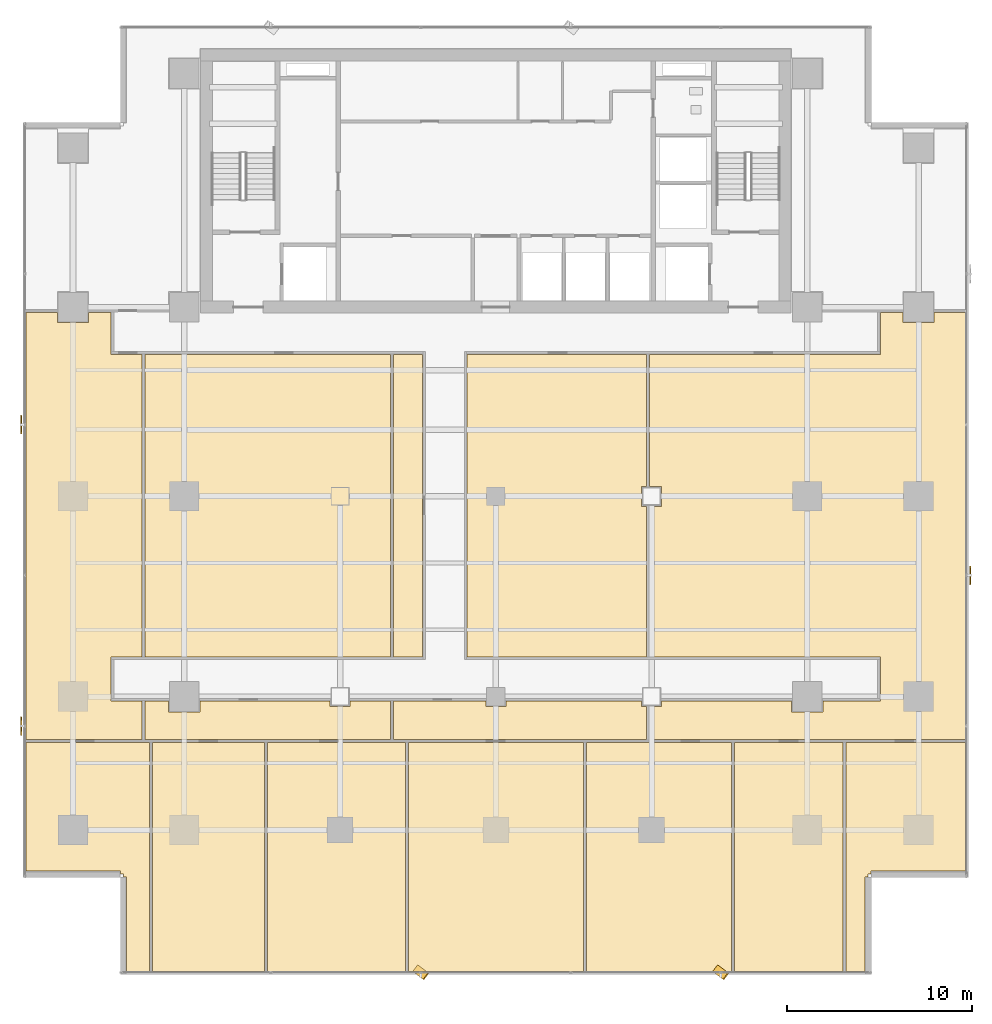
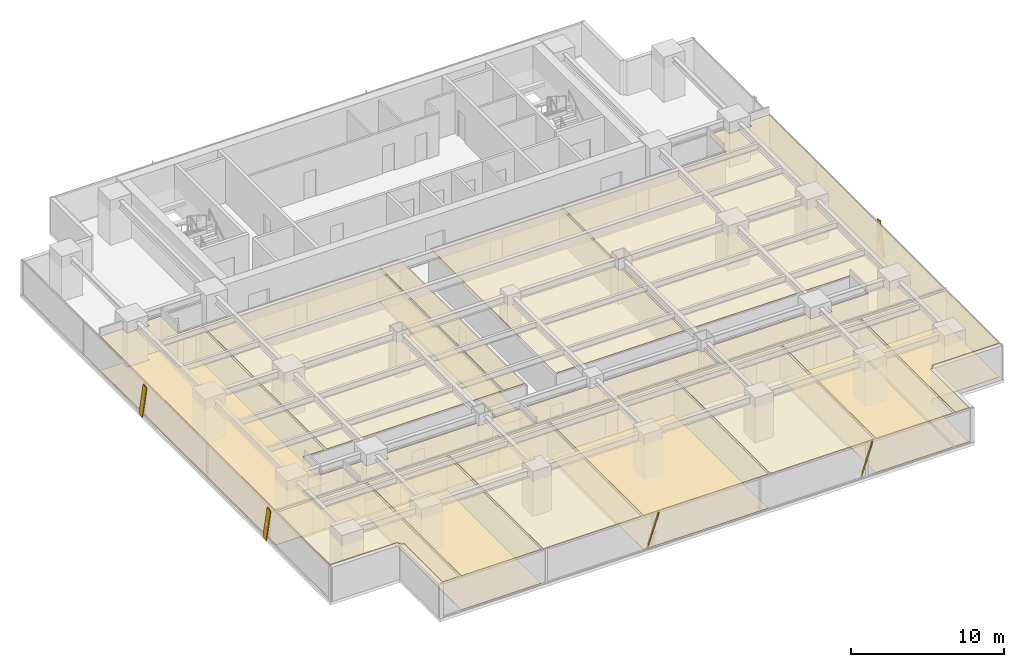
# One storey, part 33 of 37: 21 coverings, 5 shading devices.
"""IFC4 building model written with IfcOpenShell, lengths in metres."""

from ifc_helpers import new_model, si_unit, direction, frame, origin, origin_2d, place, context, subcontext, project, spatial, polyline, rectangle, outline, extrude, source, transform, mapped, material, layer, layer_set, material_profile, profile_set, type_object, element, save


model = new_model("IFC4")

# Units and contexts
model_context = context("Model", 3, precision=1e-05, world=origin(), true_north=direction((0.0, 1.0)))
body_context = subcontext(model_context, "Body", "Model", "MODEL_VIEW")
ifc_project = project(units=[si_unit("LENGTHUNIT", "METRE"), si_unit("AREAUNIT", "SQUARE_METRE"), si_unit("VOLUMEUNIT", "CUBIC_METRE"), si_unit("PLANEANGLEUNIT", "RADIAN"), si_unit("MASSUNIT", "GRAM", prefix="KILO")], contexts=[model_context])

# Site, building, storey
site_placement = place(None, origin())
site = spatial("IfcSite", under=ifc_project, at=site_placement, CompositionType="ELEMENT")
building_placement = place(site_placement, origin())
building = spatial("IfcBuilding", under=site, at=building_placement, Name="Sumidabori Civic Tower", CompositionType="ELEMENT")
storey_placement = place(building_placement, frame((0.0, 0.0, 88.39990234375)))
storey = spatial("IfcBuildingStorey", under=building, at=storey_placement, Name="L22", CompositionType="ELEMENT", Elevation=88.39990234375)

# Coverings
ifc_material_1 = material(Name="Anodised Bronze Baffle Ceiling")
ifc_layer_1 = layer(ifc_material_1, 0.054931640625, Name="Anodised Bronze Baffle Ceiling")
ifc_layer_set_1 = layer_set([ifc_layer_1], Name="Anodised Bronze Baffle Ceiling")
covering_type_1 = type_object("IfcCoveringType", Name="CV-CEIL-AC3", PredefinedType="CEILING", material=ifc_layer_set_1)
covering_1_placement = place(storey_placement, frame((0.0, 0.0, 2.710205078125)))
element("IfcCovering", 1, at=covering_1_placement, inside=storey, type_object=covering_type_1, Name="Room Acoustic Ceiling L22-02", PredefinedType="CEILING", context=body_context, shape_type="SweptSolid", body=[
    extrude(outline(polyline([(-18.919921875, 7.659912109375), (-5.679931640625, 7.659912109375), (-5.679931640625, -8.659912109375), (-18.919921875, -8.659912109375), (-18.919921875, 7.659912109375)])), origin(), (0.0, 0.0, 1.0), 0.054931640625),
])
covering_2_placement = place(storey_placement, frame((0.0, 0.0, 2.710205078125)))
element("IfcCovering", 2, at=covering_2_placement, inside=storey, type_object=covering_type_1, Name="Room Acoustic Ceiling L22-03", PredefinedType="CEILING", context=body_context, shape_type="SweptSolid", body=[
    extrude(outline(polyline([(-5.52001953125, 7.659912109375), (-3.93994140625, 7.659912109375), (-3.93994140625, -8.659912109375), (-5.52001953125, -8.659912109375), (-5.52001953125, 7.659912109375)])), origin(), (0.0, 0.0, 1.0), 0.054931640625),
])
covering_3_placement = place(storey_placement, frame((0.0, 0.0, 2.710205078125)))
element("IfcCovering", 3, at=covering_3_placement, inside=storey, type_object=covering_type_1, Name="Room Acoustic Ceiling L22-04", PredefinedType="CEILING", context=body_context, shape_type="SweptSolid", body=[
    extrude(outline(polyline([(-1.56005859375, -8.659912109375), (-1.56005859375, 7.659912109375), (8.1201171875, 7.659912109375), (8.1201171875, 0.5400390625), (7.860107421875, 0.5400390625), (7.860107421875, -0.5400390625), (8.1201171875, -0.5400390625), (8.1201171875, -8.659912109375), (-1.56005859375, -8.659912109375)])), origin(), (0.0, 0.0, 1.0), 0.054931640625),
])
covering_4_placement = place(storey_placement, frame((0.0, 0.0, 2.710205078125)))
element("IfcCovering", 4, at=covering_4_placement, inside=storey, type_object=covering_type_1, Name="Room Acoustic Ceiling L22-05", PredefinedType="CEILING", context=body_context, shape_type="SweptSolid", body=[
    extrude(outline(polyline([(-25.330078125, -13.1201171875), (-25.330078125, 9.919921875), (-23.639892578125, 9.919921875), (-23.639892578125, 9.360107421875), (-21.9599609375, 9.360107421875), (-21.9599609375, 9.919921875), (-20.739990234375, 9.919921875), (-20.739990234375, 7.659912109375), (-19.080078125, 7.659912109375), (-19.080078125, -8.659912109375), (-20.724609375, -8.659912109375), (-20.739990234375, -8.66748046875), (-20.739990234375, -11.032470703125), (-20.724609375, -11.0400390625), (-19.080078125, -11.0400390625), (-19.080078125, -13.1201171875), (-25.330078125, -13.1201171875)])), origin(), (0.0, 0.0, 1.0), 0.054931640625),
])
covering_5_placement = place(storey_placement, frame((0.0, 0.0, 2.710205078125)))
element("IfcCovering", 5, at=covering_5_placement, inside=storey, type_object=covering_type_1, Name="Room Acoustic Ceiling L22-06", PredefinedType="CEILING", context=body_context, shape_type="SweptSolid", body=[
    extrude(outline(polyline([(8.280029296875, -11.340087890625), (8.93994140625, -11.340087890625), (8.93994140625, -11.0400390625), (15.9599609375, -11.0400390625), (15.9599609375, -11.639892578125), (17.639892578125, -11.639892578125), (17.639892578125, -11.0400390625), (20.724609375, -11.0400390625), (20.739990234375, -11.032470703125), (20.739990234375, -8.66748046875), (20.724609375, -8.659912109375), (8.280029296875, -8.659912109375), (8.280029296875, -0.5400390625), (8.93994140625, -0.5400390625), (8.93994140625, 0.5400390625), (8.280029296875, 0.5400390625), (8.280029296875, 7.659912109375), (20.739990234375, 7.659912109375), (20.739990234375, 9.919921875), (21.9599609375, 9.919921875), (21.9599609375, 9.360107421875), (23.639892578125, 9.360107421875), (23.639892578125, 9.919921875), (25.330078125, 9.919921875), (25.330078125, -13.1201171875), (8.280029296875, -13.1201171875), (8.280029296875, -11.340087890625)])), origin(), (0.0, 0.0, 1.0), 0.054931640625),
])
covering_6_placement = place(storey_placement, frame((0.0, 0.0, 2.710205078125)))
element("IfcCovering", 6, at=covering_6_placement, inside=storey, type_object=covering_type_1, Name="Room Acoustic Ceiling L22-07", PredefinedType="CEILING", context=body_context, shape_type="SweptSolid", body=[
    extrude(outline(polyline([(-17.639892578125, -11.0400390625), (-17.639892578125, -11.639892578125), (-15.9599609375, -11.639892578125), (-15.9599609375, -11.0400390625), (-8.93994140625, -11.0400390625), (-8.93994140625, -11.340087890625), (-7.860107421875, -11.340087890625), (-7.860107421875, -11.0400390625), (-5.679931640625, -11.0400390625), (-5.679931640625, -13.1201171875), (-18.919921875, -13.1201171875), (-18.919921875, -11.0400390625), (-17.639892578125, -11.0400390625)])), origin(), (0.0, 0.0, 1.0), 0.054931640625),
])
covering_7_placement = place(storey_placement, frame((0.0, 0.0, 2.710205078125)))
element("IfcCovering", 7, at=covering_7_placement, inside=storey, type_object=covering_type_1, Name="Room Acoustic Ceiling L22-08", PredefinedType="CEILING", context=body_context, shape_type="SweptSolid", body=[
    extrude(outline(polyline([(-5.52001953125, -11.0400390625), (-0.5400390625, -11.0400390625), (-0.5400390625, -11.340087890625), (0.5400390625, -11.340087890625), (0.5400390625, -11.0400390625), (7.860107421875, -11.0400390625), (7.860107421875, -11.340087890625), (8.1201171875, -11.340087890625), (8.1201171875, -13.1201171875), (-5.52001953125, -13.1201171875), (-5.52001953125, -11.0400390625)])), origin(), (0.0, 0.0, 1.0), 0.054931640625),
])
covering_8_placement = place(storey_placement, frame((0.0, 0.0, 2.710205078125)))
element("IfcCovering", 8, at=covering_8_placement, inside=storey, type_object=covering_type_1, Name="Room Acoustic Ceiling L22-09", PredefinedType="CEILING", context=body_context, shape_type="SweptSolid", body=[
    extrude(outline(polyline([(18.8798828125, -13.280029296875), (25.330078125, -13.280029296875), (25.330078125, -20.221923828125), (20.241943359375, -20.221923828125), (20.241943359375, -20.3798828125), (20.080078125, -20.3798828125), (20.080078125, -20.5419921875), (19.922119140625, -20.5419921875), (19.922119140625, -25.6298828125), (18.8798828125, -25.6298828125), (18.8798828125, -13.280029296875)])), origin(), (0.0, 0.0, 1.0), 0.054931640625),
])
covering_9_placement = place(storey_placement, frame((0.0, 0.0, 2.710205078125)))
element("IfcCovering", 9, at=covering_9_placement, inside=storey, type_object=covering_type_1, Name="Room Acoustic Ceiling L22-10", PredefinedType="CEILING", context=body_context, shape_type="SweptSolid", body=[
    extrude(outline(polyline([(-18.679931640625, -13.280029296875), (-18.679931640625, -25.6298828125), (-19.922119140625, -25.6298828125), (-19.922119140625, -20.5419921875), (-20.080078125, -20.5419921875), (-20.080078125, -20.3798828125), (-20.241943359375, -20.3798828125), (-20.241943359375, -20.221923828125), (-25.330078125, -20.221923828125), (-25.330078125, -13.280029296875), (-18.679931640625, -13.280029296875)])), origin(), (0.0, 0.0, 1.0), 0.054931640625),
])
covering_10_placement = place(storey_placement, frame((0.0, 0.0, 2.710205078125)))
element("IfcCovering", 10, at=covering_10_placement, inside=storey, type_object=covering_type_1, Name="Room Acoustic Ceiling L22-11", PredefinedType="CEILING", context=body_context, shape_type="SweptSolid", body=[
    extrude(outline(polyline([(-18.52001953125, -13.280029296875), (-12.47998046875, -13.280029296875), (-12.47998046875, -25.6298828125), (-18.52001953125, -25.6298828125), (-18.52001953125, -13.280029296875)])), origin(), (0.0, 0.0, 1.0), 0.054931640625),
])
covering_11_placement = place(storey_placement, frame((0.0, 0.0, 2.710205078125)))
element("IfcCovering", 11, at=covering_11_placement, inside=storey, type_object=covering_type_1, Name="Room Acoustic Ceiling L22-12", PredefinedType="CEILING", context=body_context, shape_type="SweptSolid", body=[
    extrude(outline(polyline([(-12.320068359375, -13.280029296875), (-4.8798828125, -13.280029296875), (-4.8798828125, -25.6298828125), (-12.320068359375, -25.6298828125), (-12.320068359375, -13.280029296875)])), origin(), (0.0, 0.0, 1.0), 0.054931640625),
])
covering_12_placement = place(storey_placement, frame((0.0, 0.0, 2.710205078125)))
element("IfcCovering", 12, at=covering_12_placement, inside=storey, type_object=covering_type_1, Name="Room Acoustic Ceiling L22-13", PredefinedType="CEILING", context=body_context, shape_type="SweptSolid", body=[
    extrude(outline(polyline([(-4.719970703125, -13.280029296875), (4.719970703125, -13.280029296875), (4.719970703125, -25.6298828125), (-4.719970703125, -25.6298828125), (-4.719970703125, -13.280029296875)])), origin(), (0.0, 0.0, 1.0), 0.054931640625),
])
covering_13_placement = place(storey_placement, frame((0.0, 0.0, 2.710205078125)))
element("IfcCovering", 13, at=covering_13_placement, inside=storey, type_object=covering_type_1, Name="Room Acoustic Ceiling L22-14", PredefinedType="CEILING", context=body_context, shape_type="SweptSolid", body=[
    extrude(outline(polyline([(4.8798828125, -13.280029296875), (12.719970703125, -13.280029296875), (12.719970703125, -25.6298828125), (4.8798828125, -25.6298828125), (4.8798828125, -13.280029296875)])), origin(), (0.0, 0.0, 1.0), 0.054931640625),
])
covering_14_placement = place(storey_placement, frame((0.0, 0.0, 2.710205078125)))
element("IfcCovering", 14, at=covering_14_placement, inside=storey, type_object=covering_type_1, Name="Room Acoustic Ceiling L22-15", PredefinedType="CEILING", context=body_context, shape_type="SweptSolid", body=[
    extrude(outline(polyline([(12.8798828125, -13.280029296875), (18.719970703125, -13.280029296875), (18.719970703125, -25.6298828125), (12.8798828125, -25.6298828125), (12.8798828125, -13.280029296875)])), origin(), (0.0, 0.0, 1.0), 0.054931640625),
])
ifc_material_2 = material(Name="Honed Terrazzo Tile Flooring")
ifc_layer_2 = layer(ifc_material_2, 0.030029296875, Name="Honed Terrazzo Tile Flooring")
ifc_layer_set_2 = layer_set([ifc_layer_2], Name="Honed Terrazzo Tile Flooring")
covering_type_2 = type_object("IfcCoveringType", Name="CV-FLR-TER", PredefinedType="FLOORING", material=ifc_layer_set_2)
covering_15_placement = place(storey_placement, origin())
element("IfcCovering", 15, at=covering_15_placement, inside=storey, type_object=covering_type_2, Name="Room Terrazzo Floor L22-03", PredefinedType="FLOORING", context=body_context, shape_type="SweptSolid", body=[
    extrude(outline(polyline([(-5.52001953125, 7.659912109375), (-3.93994140625, 7.659912109375), (-3.93994140625, -8.659912109375), (-5.52001953125, -8.659912109375), (-5.52001953125, 7.659912109375)])), origin(), (0.0, 0.0, 1.0), 0.030029296875),
])
covering_16_placement = place(storey_placement, origin())
element("IfcCovering", 16, at=covering_16_placement, inside=storey, type_object=covering_type_2, Name="Room Terrazzo Floor L22-05", PredefinedType="FLOORING", context=body_context, shape_type="SweptSolid", body=[
    extrude(outline(polyline([(-25.330078125, -13.1201171875), (-25.330078125, 9.919921875), (-23.639892578125, 9.919921875), (-23.639892578125, 9.360107421875), (-21.9599609375, 9.360107421875), (-21.9599609375, 9.919921875), (-20.739990234375, 9.919921875), (-20.739990234375, 7.659912109375), (-19.080078125, 7.659912109375), (-19.080078125, -8.659912109375), (-20.724609375, -8.659912109375), (-20.739990234375, -8.66748046875), (-20.739990234375, -11.032470703125), (-20.724609375, -11.0400390625), (-19.080078125, -11.0400390625), (-19.080078125, -13.1201171875), (-25.330078125, -13.1201171875)])), origin(), (0.0, 0.0, 1.0), 0.030029296875),
])
covering_17_placement = place(storey_placement, origin())
element("IfcCovering", 17, at=covering_17_placement, inside=storey, type_object=covering_type_2, Name="Room Terrazzo Floor L22-07", PredefinedType="FLOORING", context=body_context, shape_type="SweptSolid", body=[
    extrude(outline(polyline([(-17.639892578125, -11.0400390625), (-17.639892578125, -11.639892578125), (-15.9599609375, -11.639892578125), (-15.9599609375, -11.0400390625), (-8.93994140625, -11.0400390625), (-8.93994140625, -11.340087890625), (-7.860107421875, -11.340087890625), (-7.860107421875, -11.0400390625), (-5.679931640625, -11.0400390625), (-5.679931640625, -13.1201171875), (-18.919921875, -13.1201171875), (-18.919921875, -11.0400390625), (-17.639892578125, -11.0400390625)])), origin(), (0.0, 0.0, 1.0), 0.030029296875),
])
covering_18_placement = place(storey_placement, origin())
element("IfcCovering", 18, at=covering_18_placement, inside=storey, type_object=covering_type_2, Name="Room Terrazzo Floor L22-09", PredefinedType="FLOORING", context=body_context, shape_type="SweptSolid", body=[
    extrude(outline(polyline([(18.8798828125, -13.280029296875), (25.330078125, -13.280029296875), (25.330078125, -20.221923828125), (20.241943359375, -20.221923828125), (20.241943359375, -20.3798828125), (20.080078125, -20.3798828125), (20.080078125, -20.5419921875), (19.922119140625, -20.5419921875), (19.922119140625, -25.6298828125), (18.8798828125, -25.6298828125), (18.8798828125, -13.280029296875)])), origin(), (0.0, 0.0, 1.0), 0.030029296875),
])
covering_19_placement = place(storey_placement, origin())
element("IfcCovering", 19, at=covering_19_placement, inside=storey, type_object=covering_type_2, Name="Room Terrazzo Floor L22-11", PredefinedType="FLOORING", context=body_context, shape_type="SweptSolid", body=[
    extrude(outline(polyline([(-18.52001953125, -13.280029296875), (-12.47998046875, -13.280029296875), (-12.47998046875, -25.6298828125), (-18.52001953125, -25.6298828125), (-18.52001953125, -13.280029296875)])), origin(), (0.0, 0.0, 1.0), 0.030029296875),
])
covering_20_placement = place(storey_placement, origin())
element("IfcCovering", 20, at=covering_20_placement, inside=storey, type_object=covering_type_2, Name="Room Terrazzo Floor L22-13", PredefinedType="FLOORING", context=body_context, shape_type="SweptSolid", body=[
    extrude(outline(polyline([(-4.719970703125, -13.280029296875), (4.719970703125, -13.280029296875), (4.719970703125, -25.6298828125), (-4.719970703125, -25.6298828125), (-4.719970703125, -13.280029296875)])), origin(), (0.0, 0.0, 1.0), 0.030029296875),
])
covering_21_placement = place(storey_placement, origin())
element("IfcCovering", 21, at=covering_21_placement, inside=storey, type_object=covering_type_2, Name="Room Terrazzo Floor L22-15", PredefinedType="FLOORING", context=body_context, shape_type="SweptSolid", body=[
    extrude(outline(polyline([(12.8798828125, -13.280029296875), (18.719970703125, -13.280029296875), (18.719970703125, -25.6298828125), (12.8798828125, -25.6298828125), (12.8798828125, -13.280029296875)])), origin(), (0.0, 0.0, 1.0), 0.030029296875),
])

# Shading devices
ifc_material_3 = material(Name="Anodised Bronze Aluminium AW-6063-T6", Category="aluminium")
ifc_material_profile = material_profile(ifc_material_3, rectangle(XDim=0.06005859375, YDim=0.449951171875, at=origin_2d()), Name="BRONZE FIN 450x60")
ifc_profile_set = profile_set([ifc_material_profile], Name="Anodised Bronze Aluminium AW-6063-T6")
shading_device_type = type_object("IfcShadingDeviceType", Name="SH-FIN-450", PredefinedType="USERDEFINED", material=ifc_profile_set)
shared_shape_1 = source(origin(), body_context, "Body", "SweptSolid", [
    extrude(rectangle(XDim=0.06005859375, YDim=0.449951171875, at=origin_2d()), origin(), (0.0, 0.0, 1.0), 2.77001953125),
])
for number, where, z_axis, x_axis, name in (
    (22, (-4.323974609375, -25.469970703125, 0.02001953125), (0.202181391677, -0.151591976323, 0.967544602369), (0.774116663029, -0.580418770885, -0.252700301595), "Bronze Anodised Diagonal Fin L22-02"),
    (23, (11.85205078125, -25.469970703125, 0.02001953125), (0.202181391677, -0.151591976323, 0.967544602369), (0.774116663029, -0.580418770885, -0.252700301595), "Bronze Anodised Diagonal Fin L22-04"),
):
    element("IfcShadingDevice", number, at=place(storey_placement, frame(where, z_axis=z_axis, x_axis=x_axis)), inside=storey, type_object=shading_device_type, Name=name, ObjectType="FIN", PredefinedType="USERDEFINED", context=body_context, shape_type="MappedRepresentation", body=[
        mapped(shared_shape_1, transform((0.0, 0.0, 0.0), x_axis=(1.0, 0.0, 0.0), y_axis=(0.0, 1.0, 0.0), z_axis=(0.0, 0.0, 1.0), scale=1.0)),
    ])
shared_shape_2 = source(origin(), body_context, "Body", "SweptSolid", [
    extrude(rectangle(XDim=0.06005859375, YDim=0.449951171875, at=origin_2d()), origin(), (0.0, 0.0, 1.0), 2.738037109375),
])
for number, where, z_axis, x_axis, name in (
    (24, (25.590087890625, -4.5439453125, 0.02001953125), (0.0, 0.204545289674, 0.97885710115), (-1.0, 0.0, 0.0), "Bronze Anodised Diagonal Fin L22-02"),
    (25, (-25.590087890625, 4.14404296875, 0.02001953125), (0.0, -0.204545289674, 0.97885710115), (-1.0, 0.0, 0.0), "Bronze Anodised Diagonal Fin L22-02"),
    (26, (-25.590087890625, -12.112060546875, 0.02001953125), (0.0, -0.204545289674, 0.97885710115), (-1.0, 0.0, 0.0), "Bronze Anodised Diagonal Fin L22-04"),
):
    element("IfcShadingDevice", number, at=place(storey_placement, frame(where, z_axis=z_axis, x_axis=x_axis)), inside=storey, type_object=shading_device_type, Name=name, ObjectType="FIN", PredefinedType="USERDEFINED", context=body_context, shape_type="MappedRepresentation", body=[
        mapped(shared_shape_2, transform((0.0, 0.0, 0.0), x_axis=(1.0, 0.0, 0.0), y_axis=(0.0, 1.0, 0.0), z_axis=(0.0, 0.0, 1.0), scale=1.0)),
    ])

save(model, "model.ifc")
